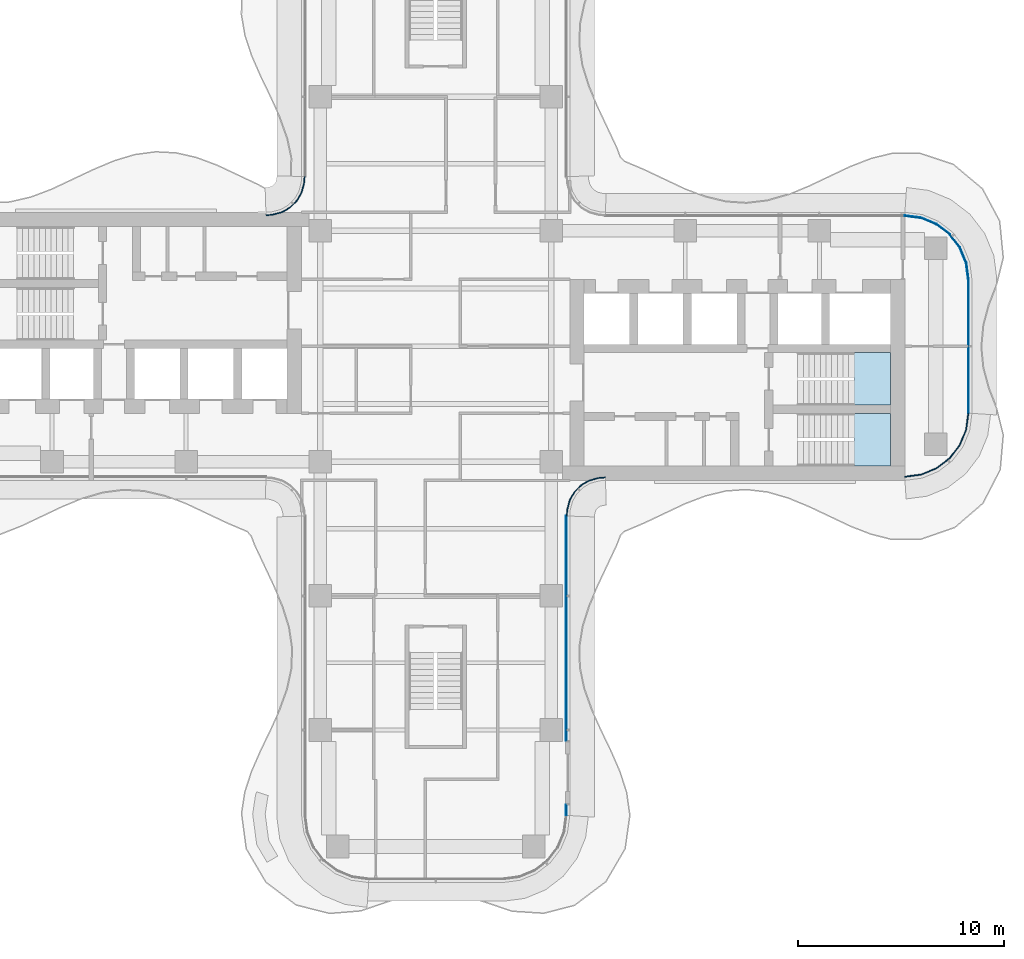
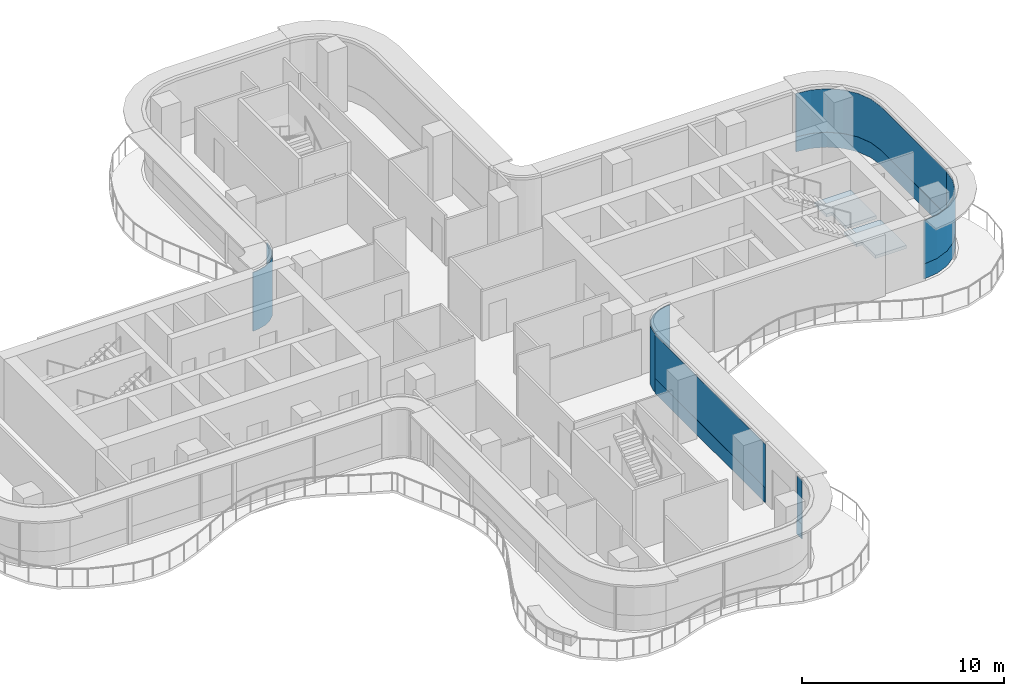
# One storey, part 10 of 17: 10 plates, 2 slabs, 8 elements without a shape of their own.
"""IFC4 building model written with IfcOpenShell, lengths in metres."""

from ifc_helpers import new_model, si_unit, direction, frame, origin, place, context, subcontext, project, spatial, polyline, outline, extrude, source, transform, mapped, material, layer, layer_set, type_object, element, aggregate, save


model = new_model("IFC4")

# Units and contexts
model_context = context("Model", 3, precision=1e-05, world=origin(), true_north=direction((0.0, 1.0)))
body_context = subcontext(model_context, "Body", "Model", "MODEL_VIEW")
ifc_project = project(units=[si_unit("LENGTHUNIT", "METRE"), si_unit("AREAUNIT", "SQUARE_METRE"), si_unit("VOLUMEUNIT", "CUBIC_METRE"), si_unit("PLANEANGLEUNIT", "RADIAN"), si_unit("MASSUNIT", "GRAM", prefix="KILO")], contexts=[model_context])

# Site, building, storey
site_placement = place(None, origin())
site = spatial("IfcSite", under=ifc_project, at=site_placement, CompositionType="ELEMENT")
building_placement = place(site_placement, origin())
building = spatial("IfcBuilding", under=site, at=building_placement, Name="Trellis Farm Tower", CompositionType="ELEMENT")
storey_placement = place(building_placement, frame((0.0, 0.0, 236.300048828125)))
storey = spatial("IfcBuildingStorey", under=building, at=storey_placement, Name="L52", CompositionType="ELEMENT", Elevation=236.300048828125)

# Stair, slab
ifc_material_1 = material(Name="Concrete C50/60", Category="concrete")
stair_type = type_object("IfcStairType", Name="CORE EXIT STAIR 22 RISERS 177 MM", PredefinedType="HALF_TURN_STAIR", material=ifc_material_1)
placement_1 = place(storey_placement, origin())
stair_1 = element("IfcStair", 1, at=placement_1, inside=storey, type_object=stair_type, Name="Exit stair E1", PredefinedType="HALF_TURN_STAIR")
ifc_layer_1 = layer(ifc_material_1, 0.18994140625)
ifc_layer_set_1 = layer_set([ifc_layer_1], Name="CORE STAIR LANDING 190 CONCRETE C50/60")
slab_type = type_object("IfcSlabType", Name="CORE STAIR LANDING 190 CONCRETE C50/60", PredefinedType="LANDING", material=ifc_layer_set_1)
shared_shape_1 = source(origin(), body_context, "Body", "SweptSolid", [
    extrude(outline(polyline([(20.2900390625, -5.800048828125), (20.2900390625, -4.60009765625), (20.300048828125, -4.60009765625), (20.300048828125, -4.449951171875), (19.971923828125, -4.449951171875), (19.971923828125, -3.25), (20.300048828125, -3.25), (22.050048828125, -3.25), (22.050048828125, -5.800048828125), (20.300048828125, -5.800048828125), (20.2900390625, -5.800048828125)])), origin(), (0.0, 0.0, 1.0), 0.18994140625),
])
placement_2 = place(storey_placement, frame((0.0, 0.0, 1.760009765625)))
slab_1 = element("IfcSlab", 2, at=placement_2, type_object=slab_type, Name="STE1 landing 1", PredefinedType="LANDING", context=body_context, shape_type="MappedRepresentation", body=[
    mapped(shared_shape_1, transform((0.0, 0.0, 0.0))),
])
aggregate(stair_1, [slab_1])

stair_2 = element("IfcStair", 3, at=placement_1, inside=storey, type_object=stair_type, Name="Exit stair E2", PredefinedType="HALF_TURN_STAIR")
shared_shape_2 = source(origin(), body_context, "Body", "SweptSolid", [
    extrude(outline(polyline([(20.2900390625, -2.85009765625), (20.2900390625, -1.64990234375), (20.300048828125, -1.64990234375), (20.300048828125, -1.5), (19.971923828125, -1.5), (19.971923828125, -0.300048828125), (20.300048828125, -0.300048828125), (22.050048828125, -0.300048828125), (22.050048828125, -2.85009765625), (20.300048828125, -2.85009765625), (20.2900390625, -2.85009765625)])), origin(), (0.0, 0.0, 1.0), 0.18994140625),
])
slab_2 = element("IfcSlab", 4, at=placement_2, type_object=slab_type, Name="STE2 landing 1", PredefinedType="LANDING", context=body_context, shape_type="MappedRepresentation", body=[
    mapped(shared_shape_2, transform((0.0, 0.0, 0.0))),
])
aggregate(stair_2, [slab_2])

# Curtain wall, plate
ifc_material_2 = material(Name="Aluminium and glass curtain wall", Category="aluminium")
ifc_layer_2 = layer(ifc_material_2, 0.166015625)
ifc_layer_set_2 = layer_set([ifc_layer_2], Name="WINTER GARDEN CURTAIN WALL CW3")
curtain_wall_type_1 = type_object("IfcCurtainWallType", Name="WINTER GARDEN CURTAIN WALL CW3", PredefinedType="NOTDEFINED", material=ifc_layer_set_2)
curtain_wall_1 = element("IfcCurtainWall", 5, at=placement_1, inside=storey, type_object=curtain_wall_type_1, Name="CW3 002", PredefinedType="NOTDEFINED")
ifc_material_3 = material(Name="Clear insulated glass", Category="glass")
ifc_layer_3 = layer(ifc_material_3, 0.0458984375)
ifc_layer_set_3 = layer_set([ifc_layer_3], Name="CW3 GLASS PANEL 46")
plate_type_1 = type_object("IfcPlateType", Name="CW3 GLASS PANEL 46", PredefinedType="CURTAIN_PANEL", material=ifc_layer_set_3)
shared_shape_3 = source(origin(), body_context, "Body", "SweptSolid", [
    extrude(outline(polyline([(6.3798828125, -8.2275390625), (6.394287109375, -8.0078125), (6.40966796875, -7.89208984375), (6.52490234375, -7.462158203125), (6.7509765625, -7.070556640625), (7.070556640625, -6.7509765625), (7.462158203125, -6.52490234375), (7.89208984375, -6.40966796875), (8.0078125, -6.394287109375), (8.2275390625, -6.3798828125), (8.22607421875, -6.333984375), (8.003173828125, -6.3486328125), (7.883056640625, -6.364501953125), (7.4443359375, -6.48193359375), (7.04248046875, -6.714111328125), (6.714111328125, -7.04248046875), (6.48193359375, -7.4443359375), (6.364501953125, -7.883056640625), (6.3486328125, -8.003173828125), (6.333984375, -8.22607421875), (6.3798828125, -8.2275390625)])), origin(), (0.0, 0.0, 1.0), 3.550048828125),
])
plate_1 = element("IfcPlate", 6, at=placement_1, type_object=plate_type_1, Name="PL3 002", PredefinedType="CURTAIN_PANEL", context=body_context, shape_type="MappedRepresentation", body=[
    mapped(shared_shape_3, transform((0.0, 0.0, 0.0))),
])
aggregate(curtain_wall_1, [plate_1])

curtain_wall_2 = element("IfcCurtainWall", 7, at=placement_1, inside=storey, type_object=curtain_wall_type_1, Name="CW3 004", PredefinedType="NOTDEFINED")
shared_shape_4 = source(origin(), body_context, "Body", "SweptSolid", [
    extrude(outline(polyline([(-6.3798828125, 8.2275390625), (-6.394287109375, 8.0078125), (-6.40966796875, 7.89208984375), (-6.52490234375, 7.462158203125), (-6.7509765625, 7.070556640625), (-7.070556640625, 6.7509765625), (-7.462158203125, 6.52490234375), (-7.89208984375, 6.40966796875), (-8.0078125, 6.394287109375), (-8.2275390625, 6.3798828125), (-8.22607421875, 6.333984375), (-8.003173828125, 6.3486328125), (-7.883056640625, 6.364501953125), (-7.4443359375, 6.48193359375), (-7.04248046875, 6.714111328125), (-6.714111328125, 7.04248046875), (-6.48193359375, 7.4443359375), (-6.364501953125, 7.883056640625), (-6.3486328125, 8.003173828125), (-6.333984375, 8.22607421875), (-6.3798828125, 8.2275390625)])), origin(), (0.0, 0.0, 1.0), 3.550048828125),
])
plate_2 = element("IfcPlate", 8, at=placement_1, type_object=plate_type_1, Name="PL3 004", PredefinedType="CURTAIN_PANEL", context=body_context, shape_type="MappedRepresentation", body=[
    mapped(shared_shape_4, transform((0.0, 0.0, 0.0))),
])
aggregate(curtain_wall_2, [plate_2])

ifc_layer_4 = layer(ifc_material_2, 0.18994140625)
ifc_layer_set_4 = layer_set([ifc_layer_4], Name="RIBBON CURTAIN WALL CW1")
curtain_wall_type_2 = type_object("IfcCurtainWallType", Name="RIBBON CURTAIN WALL CW1", PredefinedType="NOTDEFINED", material=ifc_layer_set_4)
curtain_wall_3 = element("IfcCurtainWall", 9, at=placement_1, inside=storey, type_object=curtain_wall_type_2, Name="CW1 004", PredefinedType="NOTDEFINED")
ifc_material_4 = material(Name="Sandstone faced insulated panel", Category="masonry")
ifc_layer_5 = layer(ifc_material_4, 0.050048828125)
ifc_layer_set_5 = layer_set([ifc_layer_5], Name="CW1 STONE SPANDREL PANEL 50")
plate_type_2 = type_object("IfcPlateType", Name="CW1 STONE SPANDREL PANEL 50", PredefinedType="CURTAIN_PANEL", material=ifc_layer_set_5)
shared_shape_5 = source(origin(), body_context, "Body", "SweptSolid", [
    extrude(outline(polyline([(6.35009765625, -22.740234375), (6.35009765625, -22.235107421875), (6.300048828125, -22.235107421875), (6.300048828125, -22.73681640625), (6.35009765625, -22.740234375)])), origin(), (0.0, 0.0, 1.0), 0.89990234375),
])
plate_3 = element("IfcPlate", 10, at=placement_1, type_object=plate_type_2, Name="PS1 004", PredefinedType="CURTAIN_PANEL", context=body_context, shape_type="MappedRepresentation", body=[
    mapped(shared_shape_5, transform((0.0, 0.0, 0.0))),
])

curtain_wall_4 = element("IfcCurtainWall", 11, at=placement_1, inside=storey, type_object=curtain_wall_type_2, Name="CW1 005", PredefinedType="NOTDEFINED")
shared_shape_6 = source(origin(), body_context, "Body", "SweptSolid", [
    extrude(outline(polyline([(6.35009765625, -19.114990234375), (6.35009765625, -8.2265625), (6.300048828125, -8.224853515625), (6.300048828125, -19.114990234375), (6.35009765625, -19.114990234375)])), origin(), (0.0, 0.0, 1.0), 0.89990234375),
])
plate_4 = element("IfcPlate", 12, at=placement_1, type_object=plate_type_2, Name="PS1 005", PredefinedType="CURTAIN_PANEL", context=body_context, shape_type="MappedRepresentation", body=[
    mapped(shared_shape_6, transform((0.0, 0.0, 0.0))),
])

# Plate
ifc_layer_6 = layer(ifc_material_3, 0.0400390625)
ifc_layer_set_6 = layer_set([ifc_layer_6], Name="CW1 GLASS PANEL 40")
plate_type_3 = type_object("IfcPlateType", Name="CW1 GLASS PANEL 40", PredefinedType="CURTAIN_PANEL", material=ifc_layer_set_6)
shared_shape_7 = source(origin(), body_context, "Body", "SweptSolid", [
    extrude(outline(polyline([(6.35009765625, -22.740234375), (6.35009765625, -22.235107421875), (6.31005859375, -22.235107421875), (6.31005859375, -22.737548828125), (6.35009765625, -22.740234375)])), origin(), (0.0, 0.0, 1.0), 2.6201171875),
])
placement_3 = place(storey_placement, frame((0.0, 0.0, 0.89990234375)))
plate_5 = element("IfcPlate", 13, at=placement_3, type_object=plate_type_3, Name="PL1 004", PredefinedType="CURTAIN_PANEL", context=body_context, shape_type="MappedRepresentation", body=[
    mapped(shared_shape_7, transform((0.0, 0.0, 0.0))),
])

aggregate(curtain_wall_3, [plate_5, plate_3])

shared_shape_8 = source(origin(), body_context, "Body", "SweptSolid", [
    extrude(outline(polyline([(6.35009765625, -19.114990234375), (6.35009765625, -8.2265625), (6.31005859375, -8.22509765625), (6.31005859375, -19.114990234375), (6.35009765625, -19.114990234375)])), origin(), (0.0, 0.0, 1.0), 2.6201171875),
])
plate_6 = element("IfcPlate", 14, at=placement_3, type_object=plate_type_3, Name="PL1 005", PredefinedType="CURTAIN_PANEL", context=body_context, shape_type="MappedRepresentation", body=[
    mapped(shared_shape_8, transform((0.0, 0.0, 0.0))),
])

aggregate(curtain_wall_4, [plate_6, plate_4])

# Curtain wall, plates
curtain_wall_5 = element("IfcCurtainWall", 15, at=placement_1, inside=storey, type_object=curtain_wall_type_2, Name="CW1 006", PredefinedType="NOTDEFINED")
shared_shape_9 = source(origin(), body_context, "Body", "SweptSolid", [
    extrude(outline(polyline([(22.740234375, -6.35009765625), (23.552001953125, -6.2431640625), (24.29931640625, -5.93359375), (24.941162109375, -5.441162109375), (25.43359375, -4.79931640625), (25.7431640625, -4.052001953125), (25.85009765625, -3.240234375), (25.81005859375, -3.237548828125), (25.7041015625, -4.04150390625), (25.398681640625, -4.779296875), (24.91259765625, -5.41259765625), (24.279296875, -5.898681640625), (23.54150390625, -6.2041015625), (22.737548828125, -6.31005859375), (22.740234375, -6.35009765625)])), origin(), (0.0, 0.0, 1.0), 2.6201171875),
])
plate_7 = element("IfcPlate", 16, at=placement_3, type_object=plate_type_3, Name="PL1 006", PredefinedType="CURTAIN_PANEL", context=body_context, shape_type="MappedRepresentation", body=[
    mapped(shared_shape_9, transform((0.0, 0.0, 0.0))),
])
shared_shape_10 = source(origin(), body_context, "Body", "SweptSolid", [
    extrude(outline(polyline([(22.740234375, -6.35009765625), (23.552001953125, -6.2431640625), (24.29931640625, -5.93359375), (24.941162109375, -5.441162109375), (25.43359375, -4.79931640625), (25.7431640625, -4.052001953125), (25.85009765625, -3.240234375), (25.800048828125, -3.23681640625), (25.6943359375, -4.0390625), (25.389892578125, -4.774169921875), (24.905517578125, -5.405517578125), (24.274169921875, -5.889892578125), (23.5390625, -6.1943359375), (22.73681640625, -6.300048828125), (22.740234375, -6.35009765625)])), origin(), (0.0, 0.0, 1.0), 0.89990234375),
])
plate_8 = element("IfcPlate", 17, at=placement_1, type_object=plate_type_2, Name="PS1 006", PredefinedType="CURTAIN_PANEL", context=body_context, shape_type="MappedRepresentation", body=[
    mapped(shared_shape_10, transform((0.0, 0.0, 0.0))),
])
aggregate(curtain_wall_5, [plate_7, plate_8])

curtain_wall_6 = element("IfcCurtainWall", 18, at=placement_1, inside=storey, type_object=curtain_wall_type_2, Name="CW1 007", PredefinedType="NOTDEFINED")
shared_shape_11 = source(origin(), body_context, "Body", "SweptSolid", [
    extrude(outline(polyline([(25.85009765625, -3.240234375), (25.85009765625, 3.240234375), (25.7431640625, 4.052001953125), (25.43359375, 4.79931640625), (24.941162109375, 5.441162109375), (24.29931640625, 5.93359375), (23.552001953125, 6.2431640625), (22.740234375, 6.35009765625), (22.737548828125, 6.31005859375), (23.54150390625, 6.2041015625), (24.279296875, 5.898681640625), (24.91259765625, 5.41259765625), (25.398681640625, 4.779296875), (25.7041015625, 4.04150390625), (25.81005859375, 3.237548828125), (25.81005859375, -3.237548828125), (25.85009765625, -3.240234375)])), origin(), (0.0, 0.0, 1.0), 2.6201171875),
])
plate_9 = element("IfcPlate", 19, at=placement_3, type_object=plate_type_3, Name="PL1 007", PredefinedType="CURTAIN_PANEL", context=body_context, shape_type="MappedRepresentation", body=[
    mapped(shared_shape_11, transform((0.0, 0.0, 0.0))),
])
shared_shape_12 = source(origin(), body_context, "Body", "SweptSolid", [
    extrude(outline(polyline([(25.85009765625, -3.240234375), (25.85009765625, 3.240234375), (25.7431640625, 4.052001953125), (25.43359375, 4.79931640625), (24.941162109375, 5.441162109375), (24.29931640625, 5.93359375), (23.552001953125, 6.2431640625), (22.740234375, 6.35009765625), (22.73681640625, 6.300048828125), (23.5390625, 6.1943359375), (24.274169921875, 5.889892578125), (24.905517578125, 5.405517578125), (25.389892578125, 4.774169921875), (25.6943359375, 4.0390625), (25.800048828125, 3.23681640625), (25.800048828125, -3.23681640625), (25.85009765625, -3.240234375)])), origin(), (0.0, 0.0, 1.0), 0.89990234375),
])
plate_10 = element("IfcPlate", 20, at=placement_1, type_object=plate_type_2, Name="PS1 007", PredefinedType="CURTAIN_PANEL", context=body_context, shape_type="MappedRepresentation", body=[
    mapped(shared_shape_12, transform((0.0, 0.0, 0.0))),
])
aggregate(curtain_wall_6, [plate_9, plate_10])

save(model, "model.ifc")
